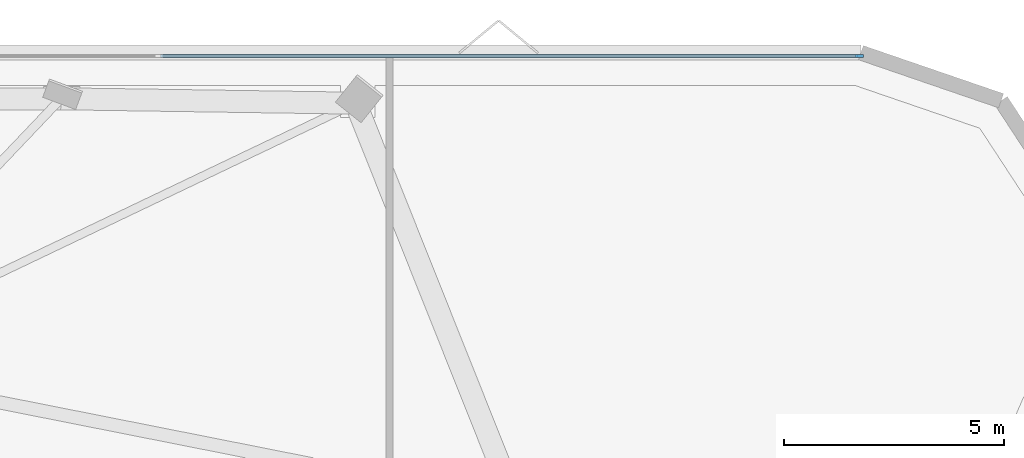
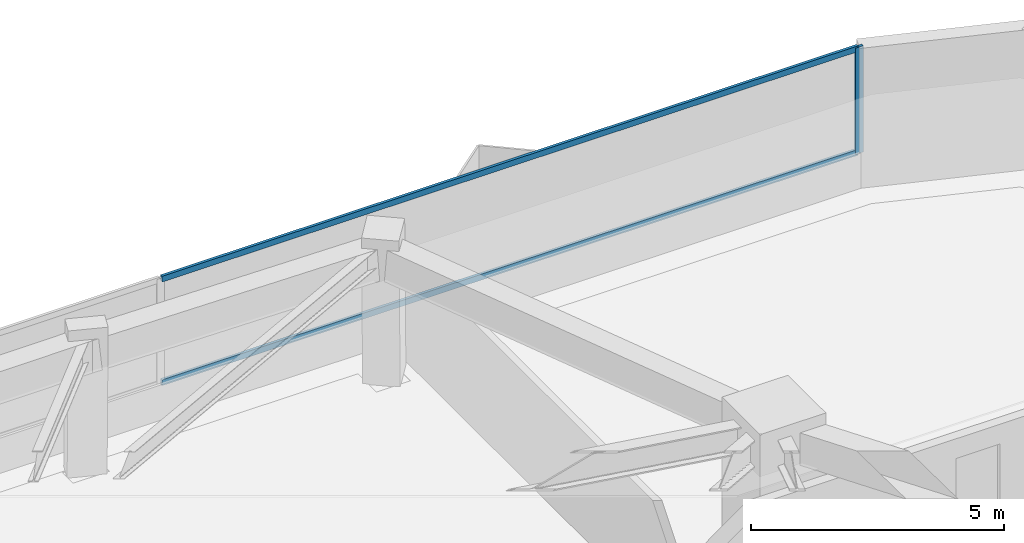
# One storey, part 9 of 16: 3 members, 1 element without a shape of its own.
"""IFC4 building model written with IfcOpenShell, lengths in metres."""

from ifc_helpers import new_model, si_unit, direction, frame, origin, origin_2d, place, context, subcontext, project, spatial, rectangle, extrude, material, layer, layer_set, material_profile, profile_set, type_object, element, aggregate, save


model = new_model("IFC4")

# Units and contexts
model_context = context("Model", 3, precision=1e-05, world=origin(), true_north=direction((0.0, 1.0)))
body_context = subcontext(model_context, "Body", "Model", "MODEL_VIEW")
ifc_project = project(units=[si_unit("LENGTHUNIT", "METRE"), si_unit("AREAUNIT", "SQUARE_METRE"), si_unit("VOLUMEUNIT", "CUBIC_METRE"), si_unit("PLANEANGLEUNIT", "RADIAN"), si_unit("MASSUNIT", "GRAM", prefix="KILO")], contexts=[model_context])

# Site, building, storey
site_placement = place(None, origin())
site = spatial("IfcSite", under=ifc_project, at=site_placement, CompositionType="ELEMENT")
building_placement = place(site_placement, origin())
building = spatial("IfcBuilding", under=site, at=building_placement, Name="Talyreon Biosciences Tower", CompositionType="ELEMENT")
storey_placement = place(building_placement, frame((0.0, 0.0, 134.5)))
storey = spatial("IfcBuildingStorey", under=building, at=storey_placement, Name="L35", CompositionType="ELEMENT", Elevation=134.5)

# Curtain wall, members
ifc_material_1 = material(Name="Thermally broken aluminium and low-E glazing", Category="aluminium")
ifc_layer = layer(ifc_material_1, 0.18505859375)
ifc_layer_set = layer_set([ifc_layer], Name="Thermally broken aluminium and low-E glazing")
curtain_wall_type = type_object("IfcCurtainWallType", Name="CurtainWall_Zone3Bioprocess", PredefinedType="NOTDEFINED", material=ifc_layer_set)
curtain_wall_placement = place(storey_placement, origin())
curtain_wall = element("IfcCurtainWall", 1, at=curtain_wall_placement, inside=storey, type_object=curtain_wall_type, Name="L35 Unitised Curtain Wall FCW-L35-04", PredefinedType="NOTDEFINED")
ifc_material_2 = material(Name="Anodised thermally broken aluminium", Category="aluminium")
ifc_material_profile_1 = material_profile(ifc_material_2, rectangle(XDim=0.06494140625, YDim=0.179931640625, at=origin_2d()), Name="ALUM MULLION 65x180")
ifc_profile_set_1 = profile_set([ifc_material_profile_1], Name="Anodised thermally broken aluminium")
member_type_1 = type_object("IfcMemberType", Name="CWMullion_65x180", PredefinedType="MULLION", material=ifc_profile_set_1)
member_1_placement = place(storey_placement, frame((89.92529296875, 88.80615234375, 0.81005859375), z_axis=(0.0, 0.0, 1.0), x_axis=(0.0, 1.0, 0.0)))
member_1 = element("IfcMember", 2, at=member_1_placement, type_object=member_type_1, Name="CW4 mullion 4", PredefinedType="MULLION", context=body_context, shape_type="SweptSolid", body=[
    extrude(rectangle(XDim=0.06494140625, YDim=0.179931640625, at=origin_2d()), origin(), (0.0, 0.0, 1.0), 2.56494140625),
])
ifc_material_profile_2 = material_profile(ifc_material_2, rectangle(XDim=0.06494140625, YDim=0.139892578125, at=origin_2d()), Name="ALUM TRANSOM 65x140")
ifc_profile_set_2 = profile_set([ifc_material_profile_2], Name="Anodised thermally broken aluminium")
member_type_2 = type_object("IfcMemberType", Name="CWTransom_65x140", PredefinedType="USERDEFINED", material=ifc_profile_set_2)
member_2_placement = place(storey_placement, frame((74.018310546875, 88.80615234375, 0.842529296875), z_axis=(1.0, 0.0, 0.0), x_axis=(0.0, 1.0, 0.0)))
member_2 = element("IfcMember", 3, at=member_2_placement, type_object=member_type_2, Name="CW4 transom 3.1", ObjectType="TRANSOM", PredefinedType="USERDEFINED", context=body_context, shape_type="SweptSolid", body=[
    extrude(rectangle(XDim=0.06494140625, YDim=0.139892578125, at=origin_2d()), origin(), (0.0, 0.0, 1.0), 15.874267578125),
])
member_3_placement = place(storey_placement, frame((74.018310546875, 88.80615234375, 3.342529296875), z_axis=(1.0, 0.0, 0.0), x_axis=(0.0, 1.0, 0.0)))
member_3 = element("IfcMember", 4, at=member_3_placement, type_object=member_type_2, Name="CW4 transom 3.2", ObjectType="TRANSOM", PredefinedType="USERDEFINED", context=body_context, shape_type="SweptSolid", body=[
    extrude(rectangle(XDim=0.06494140625, YDim=0.139892578125, at=origin_2d()), origin(), (0.0, 0.0, 1.0), 15.874267578125),
])
aggregate(curtain_wall, [member_1, member_2, member_3])

save(model, "model.ifc")
